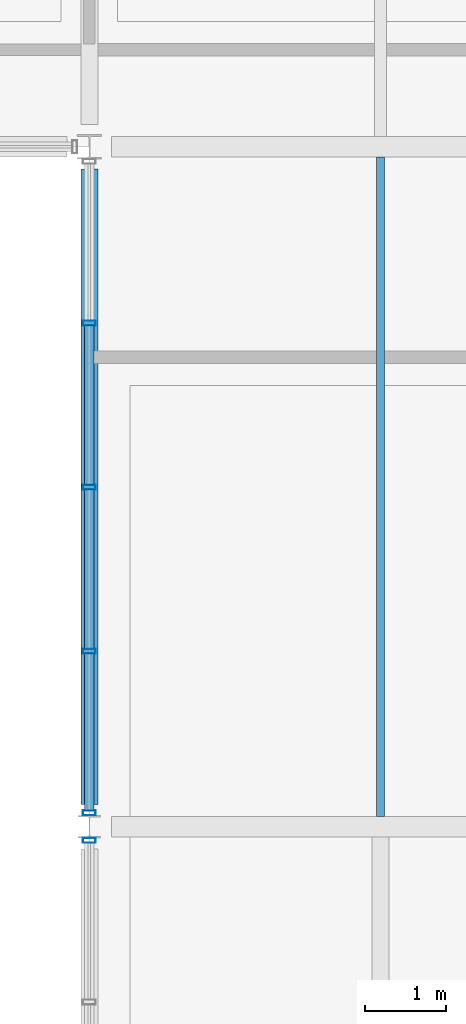
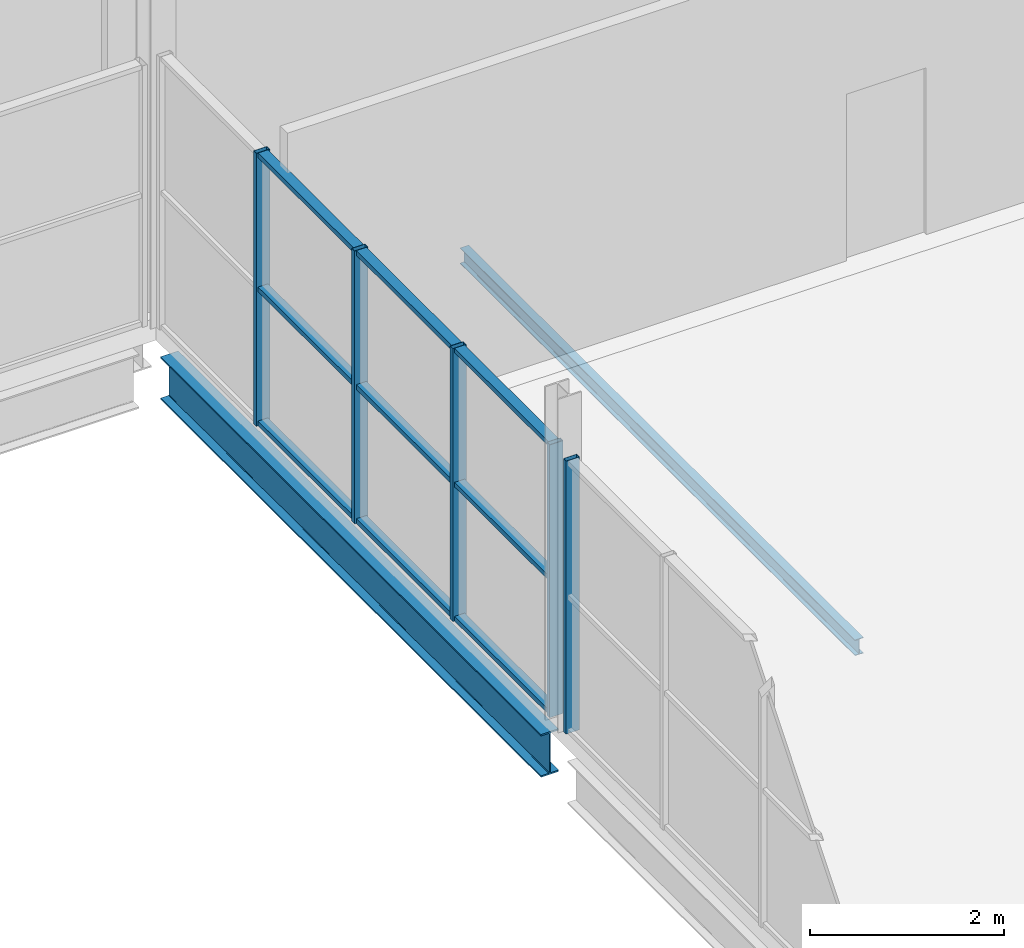
# One storey, part 40 of 161: 14 members, 2 beams, 2 elements without a shape of their own.
"""IFC4 building model written with IfcOpenShell, lengths in metres."""

from ifc_helpers import new_model, si_unit, direction, frame, origin, origin_2d, place, context, subcontext, project, spatial, hollow_rectangle, i_section, extrude, material, material_profile, profile_set, type_object, element, aggregate, save


model = new_model("IFC4")

# Units and contexts
model_context = context("Model", 3, precision=1e-05, world=origin(), true_north=direction((0.0, 1.0)))
body_context = subcontext(model_context, "Body", "Model", "MODEL_VIEW")
ifc_project = project(units=[si_unit("LENGTHUNIT", "METRE"), si_unit("AREAUNIT", "SQUARE_METRE"), si_unit("VOLUMEUNIT", "CUBIC_METRE"), si_unit("PLANEANGLEUNIT", "RADIAN"), si_unit("MASSUNIT", "GRAM", prefix="KILO"), si_unit("THERMODYNAMICTEMPERATUREUNIT", "KELVIN")], contexts=[model_context])

# Site, building, storey
site_placement = place(None, origin())
site = spatial("IfcSite", under=ifc_project, at=site_placement, CompositionType="ELEMENT")
building_placement = place(site_placement, origin())
building = spatial("IfcBuilding", under=site, at=building_placement, Name="Nduvali Passage Aquatics Centre", CompositionType="ELEMENT")
storey_placement = place(building_placement, frame((0.0, 0.0, 4.800048828125)))
storey = spatial("IfcBuildingStorey", under=building, at=storey_placement, Name="L01", CompositionType="ELEMENT", Elevation=4.800048828125)

# Curtain wall, member
ifc_material_1 = material(Name="Aluminium EN AW-6063 T6", Category="aluminium")
curtain_wall_type = type_object("IfcCurtainWallType", Name="ENV-CW-COUR", PredefinedType="NOTDEFINED", material=ifc_material_1)
curtain_wall_1_placement = place(storey_placement, origin())
curtain_wall_1 = element("IfcCurtainWall", 1, at=curtain_wall_1_placement, inside=storey, type_object=curtain_wall_type, Name="L01 Courtyard East Upper Cloister CW 170", PredefinedType="NOTDEFINED")
ifc_material_profile_1 = material_profile(ifc_material_1, hollow_rectangle(XDim=0.06005859375, YDim=0.159912109375, WallThickness=0.00390625, at=origin_2d()), Name="ALU MULLION 60x160x4")
ifc_profile_set_1 = profile_set([ifc_material_profile_1], Name="Aluminium EN AW-6063 T6")
member_type_1 = type_object("IfcMemberType", Name="ENV-MEM-MUL60", PredefinedType="MULLION", material=ifc_profile_set_1)
member_1_placement = place(storey_placement, frame((97.199951171875, 8.22998046875, 0.0), z_axis=(0.0, 0.0, 1.0), x_axis=(0.0, 1.0, 0.0)))
member_1 = element("IfcMember", 2, at=member_1_placement, type_object=member_type_1, Name="Courtyard East Upper Cloister CW Mullion 5", PredefinedType="MULLION", context=body_context, shape_type="SweptSolid", body=[
    extrude(hollow_rectangle(XDim=0.06005859375, YDim=0.159912109375, WallThickness=0.00390625, at=origin_2d()), origin(), (0.0, 0.0, 1.0), 3.436279296875),
])
aggregate(curtain_wall_1, [member_1])

# Curtain wall, members
curtain_wall_2_placement = place(storey_placement, origin())
curtain_wall_2 = element("IfcCurtainWall", 3, at=curtain_wall_2_placement, inside=storey, type_object=curtain_wall_type, Name="L01 Courtyard East Upper Cloister CW 174", PredefinedType="NOTDEFINED")
member_2_placement = place(storey_placement, frame((97.199951171875, 8.570068359375, 0.0), z_axis=(0.0, 0.0, 1.0), x_axis=(0.0, 1.0, 0.0)))
member_2 = element("IfcMember", 4, at=member_2_placement, type_object=member_type_1, Name="Courtyard East Upper Cloister CW Mullion 1", PredefinedType="MULLION", context=body_context, shape_type="SweptSolid", body=[
    extrude(hollow_rectangle(XDim=0.06005859375, YDim=0.159912109375, WallThickness=0.00390625, at=origin_2d()), origin(), (0.0, 0.0, 1.0), 3.436279296875),
])
member_3_placement = place(storey_placement, frame((97.199951171875, 10.5673828125, 0.0), z_axis=(0.0, 0.0, 1.0), x_axis=(0.0, 1.0, 0.0)))
member_3 = element("IfcMember", 5, at=member_3_placement, type_object=member_type_1, Name="Courtyard East Upper Cloister CW Mullion 2", PredefinedType="MULLION", context=body_context, shape_type="SweptSolid", body=[
    extrude(hollow_rectangle(XDim=0.06005859375, YDim=0.159912109375, WallThickness=0.00390625, at=origin_2d()), origin(), (0.0, 0.0, 1.0), 3.436279296875),
])
member_4_placement = place(storey_placement, frame((97.199951171875, 12.594970703125, 0.0), z_axis=(0.0, 0.0, 1.0), x_axis=(0.0, 1.0, 0.0)))
member_4 = element("IfcMember", 6, at=member_4_placement, type_object=member_type_1, Name="Courtyard East Upper Cloister CW Mullion 3", PredefinedType="MULLION", context=body_context, shape_type="SweptSolid", body=[
    extrude(hollow_rectangle(XDim=0.06005859375, YDim=0.159912109375, WallThickness=0.00390625, at=origin_2d()), origin(), (0.0, 0.0, 1.0), 3.436279296875),
])
member_5_placement = place(storey_placement, frame((97.199951171875, 14.62255859375, 0.0), z_axis=(0.0, 0.0, 1.0), x_axis=(0.0, 1.0, 0.0)))
member_5 = element("IfcMember", 7, at=member_5_placement, type_object=member_type_1, Name="Courtyard East Upper Cloister CW Mullion 4", PredefinedType="MULLION", context=body_context, shape_type="SweptSolid", body=[
    extrude(hollow_rectangle(XDim=0.06005859375, YDim=0.159912109375, WallThickness=0.00390625, at=origin_2d()), origin(), (0.0, 0.0, 1.0), 3.436279296875),
])
ifc_material_profile_2 = material_profile(ifc_material_1, hollow_rectangle(XDim=0.1201171875, YDim=0.06005859375, WallThickness=0.00390625, at=origin_2d()), Name="ALU TRANSOM 120x60x4")
ifc_profile_set_2 = profile_set([ifc_material_profile_2], Name="Aluminium EN AW-6063 T6")
member_type_2 = type_object("IfcMemberType", Name="ENV-MEM-TRN60", PredefinedType="USERDEFINED", material=ifc_profile_set_2)
member_6_placement = place(storey_placement, frame((97.199951171875, 8.60009765625, 0.030029296875), z_axis=(0.0, 1.0, 0.0), x_axis=(-1.0, 0.0, 0.0)))
member_6 = element("IfcMember", 8, at=member_6_placement, type_object=member_type_2, Name="Courtyard East Upper Cloister CW Transom B1-R0", ObjectType="TRANSOM", PredefinedType="USERDEFINED", context=body_context, shape_type="SweptSolid", body=[
    extrude(hollow_rectangle(XDim=0.1201171875, YDim=0.06005859375, WallThickness=0.00390625, at=origin_2d()), origin(), (0.0, 0.0, 1.0), 1.9375),
])
member_7_placement = place(storey_placement, frame((97.199951171875, 8.60009765625, 1.71826171875), z_axis=(0.0, 1.0, 0.0), x_axis=(-1.0, 0.0, 0.0)))
member_7 = element("IfcMember", 9, at=member_7_placement, type_object=member_type_2, Name="Courtyard East Upper Cloister CW Transom B1-R1", ObjectType="TRANSOM", PredefinedType="USERDEFINED", context=body_context, shape_type="SweptSolid", body=[
    extrude(hollow_rectangle(XDim=0.1201171875, YDim=0.06005859375, WallThickness=0.00390625, at=origin_2d()), origin(), (0.0, 0.0, 1.0), 1.9375),
])
member_8_placement = place(storey_placement, frame((97.199951171875, 8.60009765625, 3.40625), z_axis=(0.0, 1.0, 0.0), x_axis=(-1.0, 0.0, 0.0)))
member_8 = element("IfcMember", 10, at=member_8_placement, type_object=member_type_2, Name="Courtyard East Upper Cloister CW Transom B1-R2", ObjectType="TRANSOM", PredefinedType="USERDEFINED", context=body_context, shape_type="SweptSolid", body=[
    extrude(hollow_rectangle(XDim=0.1201171875, YDim=0.06005859375, WallThickness=0.00390625, at=origin_2d()), origin(), (0.0, 0.0, 1.0), 1.9375),
])
member_9_placement = place(storey_placement, frame((97.199951171875, 10.597412109375, 0.030029296875), z_axis=(0.0, 1.0, 0.0), x_axis=(-1.0, 0.0, 0.0)))
member_9 = element("IfcMember", 11, at=member_9_placement, type_object=member_type_2, Name="Courtyard East Upper Cloister CW Transom B2-R0", ObjectType="TRANSOM", PredefinedType="USERDEFINED", context=body_context, shape_type="SweptSolid", body=[
    extrude(hollow_rectangle(XDim=0.1201171875, YDim=0.06005859375, WallThickness=0.00390625, at=origin_2d()), origin(), (0.0, 0.0, 1.0), 1.967529296875),
])
member_10_placement = place(storey_placement, frame((97.199951171875, 10.597412109375, 1.71826171875), z_axis=(0.0, 1.0, 0.0), x_axis=(-1.0, 0.0, 0.0)))
member_10 = element("IfcMember", 12, at=member_10_placement, type_object=member_type_2, Name="Courtyard East Upper Cloister CW Transom B2-R1", ObjectType="TRANSOM", PredefinedType="USERDEFINED", context=body_context, shape_type="SweptSolid", body=[
    extrude(hollow_rectangle(XDim=0.1201171875, YDim=0.06005859375, WallThickness=0.00390625, at=origin_2d()), origin(), (0.0, 0.0, 1.0), 1.967529296875),
])
member_11_placement = place(storey_placement, frame((97.199951171875, 10.597412109375, 3.40625), z_axis=(0.0, 1.0, 0.0), x_axis=(-1.0, 0.0, 0.0)))
member_11 = element("IfcMember", 13, at=member_11_placement, type_object=member_type_2, Name="Courtyard East Upper Cloister CW Transom B2-R2", ObjectType="TRANSOM", PredefinedType="USERDEFINED", context=body_context, shape_type="SweptSolid", body=[
    extrude(hollow_rectangle(XDim=0.1201171875, YDim=0.06005859375, WallThickness=0.00390625, at=origin_2d()), origin(), (0.0, 0.0, 1.0), 1.967529296875),
])
member_12_placement = place(storey_placement, frame((97.199951171875, 12.625, 0.030029296875), z_axis=(0.0, 1.0, 0.0), x_axis=(-1.0, 0.0, 0.0)))
member_12 = element("IfcMember", 14, at=member_12_placement, type_object=member_type_2, Name="Courtyard East Upper Cloister CW Transom B3-R0", ObjectType="TRANSOM", PredefinedType="USERDEFINED", context=body_context, shape_type="SweptSolid", body=[
    extrude(hollow_rectangle(XDim=0.1201171875, YDim=0.06005859375, WallThickness=0.00390625, at=origin_2d()), origin(), (0.0, 0.0, 1.0), 1.967529296875),
])
member_13_placement = place(storey_placement, frame((97.199951171875, 12.625, 1.71826171875), z_axis=(0.0, 1.0, 0.0), x_axis=(-1.0, 0.0, 0.0)))
member_13 = element("IfcMember", 15, at=member_13_placement, type_object=member_type_2, Name="Courtyard East Upper Cloister CW Transom B3-R1", ObjectType="TRANSOM", PredefinedType="USERDEFINED", context=body_context, shape_type="SweptSolid", body=[
    extrude(hollow_rectangle(XDim=0.1201171875, YDim=0.06005859375, WallThickness=0.00390625, at=origin_2d()), origin(), (0.0, 0.0, 1.0), 1.967529296875),
])
member_14_placement = place(storey_placement, frame((97.199951171875, 12.625, 3.40625), z_axis=(0.0, 1.0, 0.0), x_axis=(-1.0, 0.0, 0.0)))
member_14 = element("IfcMember", 16, at=member_14_placement, type_object=member_type_2, Name="Courtyard East Upper Cloister CW Transom B3-R2", ObjectType="TRANSOM", PredefinedType="USERDEFINED", context=body_context, shape_type="SweptSolid", body=[
    extrude(hollow_rectangle(XDim=0.1201171875, YDim=0.06005859375, WallThickness=0.00390625, at=origin_2d()), origin(), (0.0, 0.0, 1.0), 1.967529296875),
])
aggregate(curtain_wall_2, [member_2, member_3, member_4, member_5, member_6, member_7, member_8, member_9, member_10, member_11, member_12, member_13, member_14])

# Beams
ifc_material_2 = material(Name="Steel S355", Category="steel")
ifc_material_profile_3 = material_profile(ifc_material_2, i_section(OverallWidth=0.210693359375, OverallDepth=0.53955078125, WebThickness=0.01171875, FlangeThickness=0.018798828125, FilletRadius=0.0126953125, at=origin_2d()), Name="UKB 533x210x109")
ifc_profile_set_3 = profile_set([ifc_material_profile_3], Name="Steel S355")
beam_type_1 = type_object("IfcBeamType", Name="STR-BM-UKB533", PredefinedType="BEAM", material=ifc_profile_set_3)
beam_1_placement = place(storey_placement, frame((97.199951171875, 8.675048828125, -0.553955078125), z_axis=(0.0, 1.0, 0.0), x_axis=(-1.0, 0.0, 0.0)))
element("IfcBeam", 17, at=beam_1_placement, inside=storey, type_object=beam_type_1, Name="L01 Primary Y-Girder B6-0607", PredefinedType="BEAM", context=body_context, shape_type="SweptSolid", body=[
    extrude(i_section(OverallWidth=0.210693359375, OverallDepth=0.53955078125, WebThickness=0.01171875, FlangeThickness=0.018798828125, FilletRadius=0.0126953125, at=origin_2d()), origin(), (0.0, 0.0, 1.0), 7.849853515625),
])
ifc_material_profile_4 = material_profile(ifc_material_2, i_section(OverallWidth=0.10009765625, OverallDepth=0.199951171875, WebThickness=0.005615234375, FlangeThickness=0.008544921875, FilletRadius=0.011962890625, at=origin_2d()), Name="IPE 200")
ifc_profile_set_4 = profile_set([ifc_material_profile_4], Name="Steel S355")
beam_type_2 = type_object("IfcBeamType", Name="STR-JST-IPE200", PredefinedType="JOIST", material=ifc_profile_set_4)
beam_2_placement = place(storey_placement, frame((100.800048828125, 8.52685546875, -0.384033203125), z_axis=(0.0, 1.0, 0.0), x_axis=(-1.0, 0.0, 0.0)))
element("IfcBeam", 18, at=beam_2_placement, inside=storey, type_object=beam_type_2, Name="L01 Secondary Joist J9A-0706", PredefinedType="JOIST", context=body_context, shape_type="SweptSolid", body=[
    extrude(i_section(OverallWidth=0.10009765625, OverallDepth=0.199951171875, WebThickness=0.005615234375, FlangeThickness=0.008544921875, FilletRadius=0.011962890625, at=origin_2d()), origin(), (0.0, 0.0, 1.0), 8.146240234375),
])

save(model, "model.ifc")
